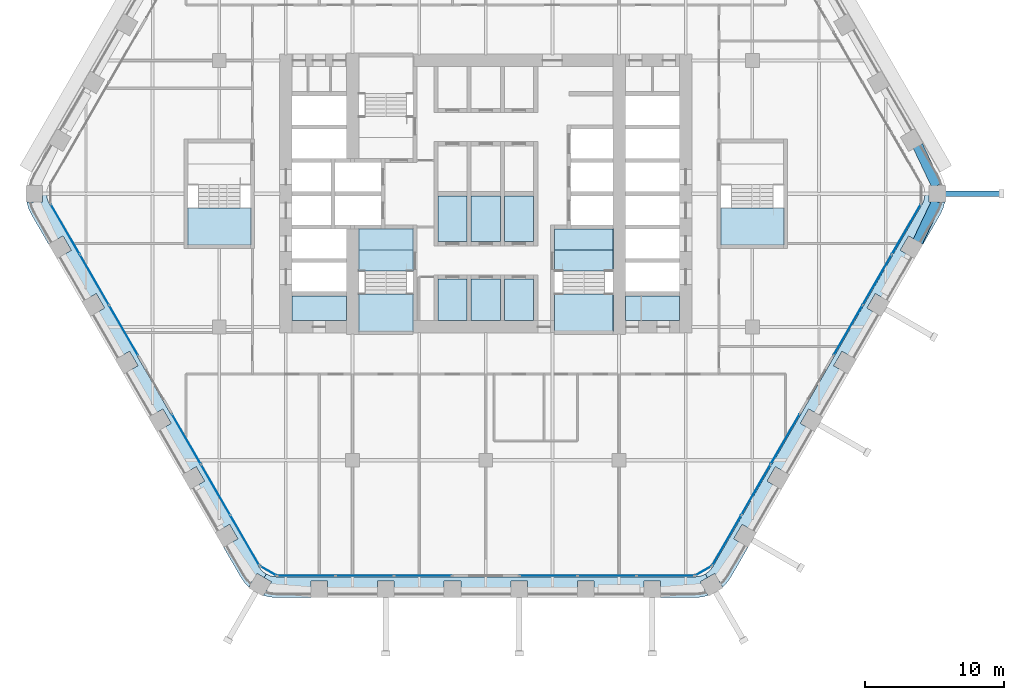
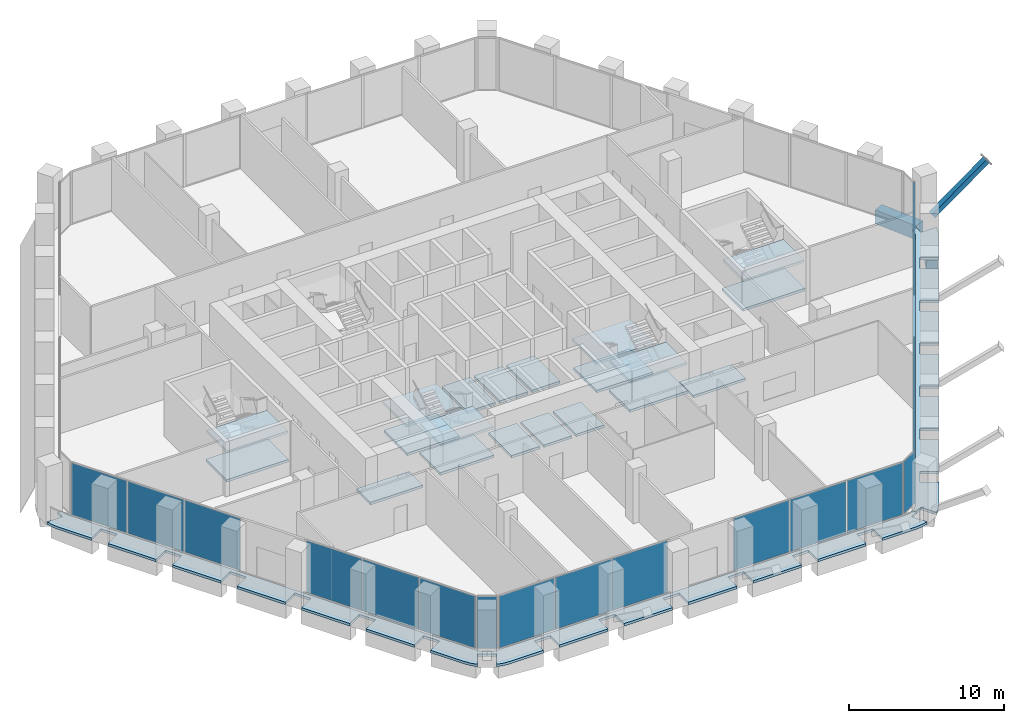
# One storey, part 11 of 24: 25 slabs, 20 plates, 2 beams, 1 member, 12 elements without a shape of their own.
"""IFC4 building model written with IfcOpenShell, lengths in metres."""

from ifc_helpers import new_model, si_unit, direction, frame, origin, origin_2d, place, context, subcontext, project, spatial, polyline, rectangle, hollow_rectangle, outline, extrude, material, layer, layer_set, material_profile, profile_set, type_object, element, aggregate, save


model = new_model("IFC4")

# Units and contexts
model_context = context("Model", 3, precision=1e-05, world=origin(), true_north=direction((0.0, 1.0)))
body_context = subcontext(model_context, "Body", "Model", "MODEL_VIEW")
ifc_project = project(units=[si_unit("LENGTHUNIT", "METRE"), si_unit("AREAUNIT", "SQUARE_METRE"), si_unit("VOLUMEUNIT", "CUBIC_METRE"), si_unit("PLANEANGLEUNIT", "RADIAN"), si_unit("MASSUNIT", "GRAM", prefix="KILO")], contexts=[model_context])

# Site, building, storey
site_placement = place(None, origin())
site = spatial("IfcSite", under=ifc_project, at=site_placement, CompositionType="ELEMENT")
building_placement = place(site_placement, origin())
building = spatial("IfcBuilding", under=site, at=building_placement, Name="Kolab Exchange Tower", CompositionType="ELEMENT")
storey_placement = place(building_placement, frame((0.0, 0.0, 86.89990234375)))
storey = spatial("IfcBuildingStorey", under=building, at=storey_placement, Name="L16", CompositionType="ELEMENT", Elevation=86.89990234375)

# Member
ifc_material_1 = material(Name="Steel S355", Category="steel")
ifc_material_profile_1 = material_profile(ifc_material_1, hollow_rectangle(XDim=0.39990234375, YDim=0.39990234375, WallThickness=0.02001953125, at=origin_2d()), Name="HSS400X400X20")
ifc_profile_set_1 = profile_set([ifc_material_profile_1], Name="Steel S355")
member_type = type_object("IfcMemberType", Name="LEDGE STRUT HSS400X400X20", PredefinedType="STRUT", material=ifc_profile_set_1)
member_placement = place(storey_placement, frame((33.095947265625, 0.0, 0.60009765625), z_axis=(0.810663726645, 0.0, 0.585512017214), x_axis=(0.0, 1.0, 0.0)))
element("IfcMember", 1, at=member_placement, inside=storey, type_object=member_type, Name="mem/L16/ledge/strut-0", PredefinedType="STRUT", context=body_context, shape_type="SweptSolid", body=[
    extrude(hollow_rectangle(XDim=0.39990234375, YDim=0.39990234375, WallThickness=0.02001953125, at=origin_2d()), origin(), (0.0, 0.0, 1.0), 4.983642578125),
])

# Beams
ifc_material_2 = material(Name="Concrete C70/85", Category="concrete")
ifc_material_profile_2 = material_profile(ifc_material_2, rectangle(XDim=0.75, YDim=1.10009765625, at=origin_2d()), Name="RC750X1100")
ifc_profile_set_2 = profile_set([ifc_material_profile_2], Name="Concrete C70/85")
beam_type = type_object("IfcBeamType", Name="SPANDREL BEAM 750X1100 C70/85", PredefinedType="BEAM", material=ifc_profile_set_2)
for number, where, z_axis, x_axis, name in (
    (2, (31.116455078125, 3.4619140625, -0.75), (0.429041292193, -0.903284877319, 0.0), (0.903284877319, 0.429041292193, 0.0), "beam/L16/sp/F2-07"),
    (3, (32.492919921875, -0.56396484375, -0.75), (-0.429041292193, -0.903284877319, 0.0), (0.903284877319, -0.429041292193, 0.0), "beam/L16/sp/F3-01"),
):
    element("IfcBeam", number, at=place(storey_placement, frame(where, z_axis=z_axis, x_axis=x_axis)), inside=storey, type_object=beam_type, Name=name, PredefinedType="BEAM", context=body_context, shape_type="SweptSolid", body=[
        extrude(rectangle(XDim=0.75, YDim=1.10009765625, at=origin_2d()), origin(), (0.0, 0.0, 1.0), 3.208251953125),
    ])

# Slabs
ifc_material_3 = material(Name="Concrete C35/45", Category="concrete")
ifc_layer_1 = layer(ifc_material_3, 0.199951171875)
ifc_layer_set_1 = layer_set([ifc_layer_1], Name="Concrete C35/45")
slab_type_1 = type_object("IfcSlabType", Name="FLOOR SLAB 200", PredefinedType="FLOOR", material=ifc_layer_set_1)
slab_1_placement = place(storey_placement, frame((0.0, 0.0, -0.199951171875)))
element("IfcSlab", 4, at=slab_1_placement, inside=storey, type_object=slab_type_1, Name="slab/L16/floor/2", PredefinedType="FLOOR", context=body_context, shape_type="SweptSolid", body=[
    extrude(outline(polyline([(-10.050048828125, -9.14990234375), (-10.050048828125, -7.35009765625), (-13.949951171875, -7.35009765625), (-13.949951171875, -9.14990234375), (-10.050048828125, -9.14990234375)])), origin(), (0.0, 0.0, 1.0), 0.199951171875),
])
slab_2_placement = place(storey_placement, frame((0.0, 0.0, -0.199951171875)))
element("IfcSlab", 5, at=slab_2_placement, inside=storey, type_object=slab_type_1, Name="slab/L16/floor/4", PredefinedType="FLOOR", context=body_context, shape_type="SweptSolid", body=[
    extrude(outline(polyline([(10.050048828125, -9.14990234375), (13.949951171875, -9.14990234375), (13.949951171875, -7.35009765625), (10.050048828125, -7.35009765625), (10.050048828125, -9.14990234375)])), origin(), (0.0, 0.0, 1.0), 0.199951171875),
])
slab_3_placement = place(storey_placement, frame((0.0, 0.0, -0.199951171875)))
element("IfcSlab", 6, at=slab_3_placement, inside=storey, type_object=slab_type_1, Name="slab/L16/floor/6", PredefinedType="FLOOR", context=body_context, shape_type="SweptSolid", body=[
    extrude(outline(polyline([(-1.35009765625, -3.449951171875), (-1.35009765625, -0.14990234375), (-3.449951171875, -0.14990234375), (-3.449951171875, -3.449951171875), (-1.35009765625, -3.449951171875)])), origin(), (0.0, 0.0, 1.0), 0.199951171875),
])
slab_4_placement = place(storey_placement, frame((0.0, 0.0, -0.199951171875)))
element("IfcSlab", 7, at=slab_4_placement, inside=storey, type_object=slab_type_1, Name="slab/L16/floor/8", PredefinedType="FLOOR", context=body_context, shape_type="SweptSolid", body=[
    extrude(outline(polyline([(-1.050048828125, -0.14990234375), (-1.050048828125, -3.449951171875), (1.050048828125, -3.449951171875), (1.050048828125, -0.14990234375), (-1.050048828125, -0.14990234375)])), origin(), (0.0, 0.0, 1.0), 0.199951171875),
])
slab_5_placement = place(storey_placement, frame((0.0, 0.0, -0.199951171875)))
element("IfcSlab", 8, at=slab_5_placement, inside=storey, type_object=slab_type_1, Name="slab/L16/floor/10", PredefinedType="FLOOR", context=body_context, shape_type="SweptSolid", body=[
    extrude(outline(polyline([(1.35009765625, -3.449951171875), (3.449951171875, -3.449951171875), (3.449951171875, -0.14990234375), (1.35009765625, -0.14990234375), (1.35009765625, -3.449951171875)])), origin(), (0.0, 0.0, 1.0), 0.199951171875),
])
slab_6_placement = place(storey_placement, frame((0.0, 0.0, -0.199951171875)))
element("IfcSlab", 9, at=slab_6_placement, inside=storey, type_object=slab_type_1, Name="slab/L16/floor/14", PredefinedType="FLOOR", context=body_context, shape_type="SweptSolid", body=[
    extrude(outline(polyline([(-1.35009765625, -6.14990234375), (-3.449951171875, -6.14990234375), (-3.449951171875, -9.14990234375), (-1.35009765625, -9.14990234375), (-1.35009765625, -6.14990234375)])), origin(), (0.0, 0.0, 1.0), 0.199951171875),
])
slab_7_placement = place(storey_placement, frame((0.0, 0.0, -0.199951171875)))
element("IfcSlab", 10, at=slab_7_placement, inside=storey, type_object=slab_type_1, Name="slab/L16/floor/16", PredefinedType="FLOOR", context=body_context, shape_type="SweptSolid", body=[
    extrude(outline(polyline([(1.050048828125, -6.14990234375), (-1.050048828125, -6.14990234375), (-1.050048828125, -9.14990234375), (1.050048828125, -9.14990234375), (1.050048828125, -6.14990234375)])), origin(), (0.0, 0.0, 1.0), 0.199951171875),
])
slab_8_placement = place(storey_placement, frame((0.0, 0.0, -0.199951171875)))
element("IfcSlab", 11, at=slab_8_placement, inside=storey, type_object=slab_type_1, Name="slab/L16/floor/18", PredefinedType="FLOOR", context=body_context, shape_type="SweptSolid", body=[
    extrude(outline(polyline([(1.35009765625, -6.14990234375), (1.35009765625, -9.14990234375), (3.449951171875, -9.14990234375), (3.449951171875, -6.14990234375), (1.35009765625, -6.14990234375)])), origin(), (0.0, 0.0, 1.0), 0.199951171875),
])
slab_9_placement = place(storey_placement, frame((0.0, 0.0, -0.199951171875)))
element("IfcSlab", 12, at=slab_9_placement, inside=storey, type_object=slab_type_1, Name="slab/L16/floor/20", PredefinedType="FLOOR", context=body_context, shape_type="SweptSolid", body=[
    extrude(outline(polyline([(4.949951171875, -4.050048828125), (9.14990234375, -4.050048828125), (9.14990234375, -2.550048828125), (6.14990234375, -2.550048828125), (5.85009765625, -2.550048828125), (4.949951171875, -2.550048828125), (4.949951171875, -4.050048828125)])), origin(), (0.0, 0.0, 1.0), 0.199951171875),
])
slab_10_placement = place(storey_placement, frame((0.0, 0.0, -0.199951171875)))
element("IfcSlab", 13, at=slab_10_placement, inside=storey, type_object=slab_type_1, Name="slab/L16/floor/21", PredefinedType="FLOOR", context=body_context, shape_type="SweptSolid", body=[
    extrude(outline(polyline([(-9.14990234375, -2.550048828125), (-9.14990234375, -4.050048828125), (-5.25, -4.050048828125), (-5.25, -2.550048828125), (-7.25, -2.550048828125), (-7.550048828125, -2.550048828125), (-9.14990234375, -2.550048828125)])), origin(), (0.0, 0.0, 1.0), 0.199951171875),
])
ifc_layer_2 = layer(ifc_material_3, 0.199951171875)
ifc_layer_set_2 = layer_set([ifc_layer_2], Name="Concrete C35/45")
slab_type_2 = type_object("IfcSlabType", Name="LOGGIA SLAB 200", PredefinedType="FLOOR", material=ifc_layer_set_2)
slab_11_placement = place(storey_placement, frame((0.0, 0.0, -0.199951171875)))
element("IfcSlab", 14, at=slab_11_placement, inside=storey, type_object=slab_type_2, Name="slab/L16/loggia/2-0", PredefinedType="FLOOR", context=body_context, shape_type="SweptSolid", body=[
    extrude(outline(polyline([(17.666015625, -27.598388671875), (18.89990234375, -25.461181640625), (17.86083984375, -24.861083984375), (18.460693359375, -23.822021484375), (19.5, -24.421875), (21.300048828125, -21.30419921875), (20.2607421875, -20.704345703125), (20.86083984375, -19.6650390625), (21.89990234375, -20.264892578125), (23.699951171875, -17.147216796875), (22.660888671875, -16.54736328125), (23.2607421875, -15.508056640625), (24.300048828125, -16.108154296875), (26.10009765625, -12.990478515625), (25.060791015625, -12.390380859375), (25.660888671875, -11.35107421875), (26.699951171875, -11.951171875), (28.5, -8.83349609375), (27.460693359375, -8.2333984375), (28.060791015625, -7.1943359375), (29.10009765625, -7.794189453125), (30.89990234375, -4.676513671875), (29.86083984375, -4.076416015625), (30.460693359375, -3.037353515625), (31.5, -3.63720703125), (32.73388671875, -1.5), (32.955078125, -1.026123046875), (33.069091796875, -0.60009765625), (31.935791015625, -0.60009765625), (31.935791015625, 0.0), (31.635986328125, 0.0), (31.613037109375, -0.260498046875), (31.54541015625, -0.512939453125), (31.434814453125, -0.75), (16.366943359375, -26.848388671875), (16.217041015625, -27.062744140625), (16.0322265625, -27.24755859375), (15.81787109375, -27.3974609375), (15.968017578125, -27.6572265625), (16.487548828125, -27.357177734375), (17.05419921875, -28.338623046875), (17.365966796875, -28.02685546875), (17.666015625, -27.598388671875)])), origin(), (0.0, 0.0, 1.0), 0.199951171875),
])
slab_12_placement = place(storey_placement, frame((0.0, 0.0, -0.199951171875)))
element("IfcSlab", 15, at=slab_12_placement, inside=storey, type_object=slab_type_2, Name="slab/L16/loggia/3-0", PredefinedType="FLOOR", context=body_context, shape_type="SweptSolid", body=[
    extrude(outline(polyline([(-15.81787109375, -27.3974609375), (-15.968017578125, -27.6572265625), (-15.4482421875, -27.957275390625), (-16.014892578125, -28.938720703125), (-15.5888671875, -29.052978515625), (-15.06787109375, -29.098388671875), (-12.60009765625, -29.098388671875), (-12.60009765625, -27.8984375), (-11.39990234375, -27.8984375), (-11.39990234375, -29.098388671875), (-7.800048828125, -29.098388671875), (-7.800048828125, -27.8984375), (-6.60009765625, -27.8984375), (-6.60009765625, -29.098388671875), (-3.0, -29.098388671875), (-3.0, -27.8984375), (-1.800048828125, -27.8984375), (-1.800048828125, -29.098388671875), (1.800048828125, -29.098388671875), (1.800048828125, -27.8984375), (3.0, -27.8984375), (3.0, -29.098388671875), (6.60009765625, -29.098388671875), (6.60009765625, -27.8984375), (7.800048828125, -27.8984375), (7.800048828125, -29.098388671875), (11.39990234375, -29.098388671875), (11.39990234375, -27.8984375), (12.60009765625, -27.8984375), (12.60009765625, -29.098388671875), (15.06787109375, -29.098388671875), (15.5888671875, -29.052978515625), (16.014892578125, -28.938720703125), (15.4482421875, -27.957275390625), (15.968017578125, -27.6572265625), (15.81787109375, -27.3974609375), (15.5810546875, -27.508056640625), (15.328369140625, -27.57568359375), (15.06787109375, -27.598388671875), (-15.06787109375, -27.598388671875), (-15.328369140625, -27.57568359375), (-15.5810546875, -27.508056640625), (-15.81787109375, -27.3974609375)])), origin(), (0.0, 0.0, 1.0), 0.199951171875),
])
slab_13_placement = place(storey_placement, frame((0.0, 0.0, -0.199951171875)))
element("IfcSlab", 16, at=slab_13_placement, inside=storey, type_object=slab_type_2, Name="slab/L16/loggia/4-0", PredefinedType="FLOOR", context=body_context, shape_type="SweptSolid", body=[
    extrude(outline(polyline([(-31.635986328125, 0.0), (-31.935791015625, 0.0), (-31.935791015625, -0.60009765625), (-33.069091796875, -0.60009765625), (-32.955078125, -1.026123046875), (-32.73388671875, -1.5), (-31.5, -3.63720703125), (-30.460693359375, -3.037353515625), (-29.86083984375, -4.076416015625), (-30.89990234375, -4.676513671875), (-29.10009765625, -7.794189453125), (-28.060791015625, -7.1943359375), (-27.460693359375, -8.2333984375), (-28.5, -8.83349609375), (-26.699951171875, -11.951171875), (-25.660888671875, -11.35107421875), (-25.060791015625, -12.390380859375), (-26.10009765625, -12.990478515625), (-24.300048828125, -16.108154296875), (-23.2607421875, -15.508056640625), (-22.660888671875, -16.54736328125), (-23.699951171875, -17.147216796875), (-21.89990234375, -20.264892578125), (-20.86083984375, -19.6650390625), (-20.2607421875, -20.704345703125), (-21.300048828125, -21.30419921875), (-19.5, -24.421875), (-18.460693359375, -23.822021484375), (-17.86083984375, -24.861083984375), (-18.89990234375, -25.461181640625), (-17.666015625, -27.598388671875), (-17.365966796875, -28.02685546875), (-17.05419921875, -28.338623046875), (-16.487548828125, -27.357177734375), (-15.968017578125, -27.6572265625), (-15.81787109375, -27.3974609375), (-16.0322265625, -27.24755859375), (-16.217041015625, -27.062744140625), (-16.366943359375, -26.848388671875), (-31.434814453125, -0.75), (-31.54541015625, -0.512939453125), (-31.613037109375, -0.260498046875), (-31.635986328125, 0.0)])), origin(), (0.0, 0.0, 1.0), 0.199951171875),
])

# Stair, slabs
ifc_material_4 = material(Name="Concrete C50/60", Category="concrete")
stair_type_1 = type_object("IfcStairType", Name="STAIR ST3 RISER 160.7", PredefinedType="DOUBLE_RETURN_STAIR", material=ifc_material_4)
stair_1_placement = place(storey_placement, origin())
stair_1 = element("IfcStair", 17, at=stair_1_placement, inside=storey, type_object=stair_type_1, Name="Stair 3", PredefinedType="DOUBLE_RETURN_STAIR")
ifc_layer_3 = layer(ifc_material_4, 0.199951171875)
ifc_layer_set_3 = layer_set([ifc_layer_3], Name="Concrete C50/60")
slab_type_3 = type_object("IfcSlabType", Name="STAIR LANDING 200", PredefinedType="LANDING", material=ifc_layer_set_3)
slab_14_placement = place(storey_placement, frame((0.0, 0.0, -0.199951171875)))
slab_14 = element("IfcSlab", 18, at=slab_14_placement, type_object=slab_type_3, Name="ST3 landing 1", PredefinedType="LANDING", context=body_context, shape_type="SweptSolid", body=[
    extrude(outline(polyline([(-9.14990234375, -5.550048828125), (-5.25, -5.550048828125), (-5.25, -4.050048828125), (-9.14990234375, -4.050048828125), (-9.14990234375, -5.550048828125)])), origin(), (0.0, 0.0, 1.0), 0.199951171875),
])
slab_15_placement = place(storey_placement, frame((0.0, 0.0, 0.925048828125)))
slab_15 = element("IfcSlab", 19, at=slab_15_placement, type_object=slab_type_3, Name="ST3 landing 2", PredefinedType="LANDING", context=body_context, shape_type="SweptSolid", body=[
    extrude(outline(polyline([(-9.2099609375, -9.909912109375), (-5.18994140625, -9.909912109375), (-5.18994140625, -7.22998046875), (-9.2099609375, -7.22998046875), (-9.2099609375, -9.909912109375)])), origin(), (0.0, 0.0, 1.0), 0.199951171875),
])
slab_16_placement = place(storey_placement, frame((0.0, 0.0, 2.050048828125)))
slab_16 = element("IfcSlab", 20, at=slab_16_placement, type_object=slab_type_3, Name="ST3 landing 3", PredefinedType="LANDING", context=body_context, shape_type="SweptSolid", body=[
    extrude(outline(polyline([(-9.2099609375, -5.550048828125), (-5.18994140625, -5.550048828125), (-5.18994140625, -2.489990234375), (-9.2099609375, -2.489990234375), (-9.2099609375, -5.550048828125)])), origin(), (0.0, 0.0, 1.0), 0.199951171875),
])
slab_17_placement = place(storey_placement, frame((0.0, 0.0, 3.175048828125)))
slab_17 = element("IfcSlab", 21, at=slab_17_placement, type_object=slab_type_3, Name="ST3 landing 4", PredefinedType="LANDING", context=body_context, shape_type="SweptSolid", body=[
    extrude(outline(polyline([(-9.14990234375, -9.909912109375), (-5.25, -9.909912109375), (-5.25, -7.22998046875), (-9.14990234375, -7.22998046875), (-9.14990234375, -9.909912109375)])), origin(), (0.0, 0.0, 1.0), 0.199951171875),
])
aggregate(stair_1, [slab_14, slab_15, slab_16, slab_17])

stair_type_2 = type_object("IfcStairType", Name="STAIR ST2 RISER 160.7", PredefinedType="DOUBLE_RETURN_STAIR", material=ifc_material_4)
stair_2_placement = place(storey_placement, origin())
stair_2 = element("IfcStair", 22, at=stair_2_placement, inside=storey, type_object=stair_type_2, Name="Stair 2", PredefinedType="DOUBLE_RETURN_STAIR")
slab_18_placement = place(storey_placement, frame((0.0, 0.0, -0.199951171875)))
slab_18 = element("IfcSlab", 23, at=slab_18_placement, type_object=slab_type_3, Name="ST2 landing 1", PredefinedType="LANDING", context=body_context, shape_type="SweptSolid", body=[
    extrude(outline(polyline([(4.949951171875, -5.550048828125), (9.14990234375, -5.550048828125), (9.14990234375, -4.050048828125), (4.949951171875, -4.050048828125), (4.949951171875, -5.550048828125)])), origin(), (0.0, 0.0, 1.0), 0.199951171875),
])
slab_19_placement = place(storey_placement, frame((0.0, 0.0, 0.925048828125)))
slab_19 = element("IfcSlab", 24, at=slab_19_placement, type_object=slab_type_3, Name="ST2 landing 2", PredefinedType="LANDING", context=body_context, shape_type="SweptSolid", body=[
    extrude(outline(polyline([(4.889892578125, -9.909912109375), (9.2099609375, -9.909912109375), (9.2099609375, -7.22998046875), (4.889892578125, -7.22998046875), (4.889892578125, -9.909912109375)])), origin(), (0.0, 0.0, 1.0), 0.199951171875),
])
slab_20_placement = place(storey_placement, frame((0.0, 0.0, 2.050048828125)))
slab_20 = element("IfcSlab", 25, at=slab_20_placement, type_object=slab_type_3, Name="ST2 landing 3", PredefinedType="LANDING", context=body_context, shape_type="SweptSolid", body=[
    extrude(outline(polyline([(4.889892578125, -5.550048828125), (9.2099609375, -5.550048828125), (9.2099609375, -2.489990234375), (4.889892578125, -2.489990234375), (4.889892578125, -5.550048828125)])), origin(), (0.0, 0.0, 1.0), 0.199951171875),
])
slab_21_placement = place(storey_placement, frame((0.0, 0.0, 3.175048828125)))
slab_21 = element("IfcSlab", 26, at=slab_21_placement, type_object=slab_type_3, Name="ST2 landing 4", PredefinedType="LANDING", context=body_context, shape_type="SweptSolid", body=[
    extrude(outline(polyline([(4.949951171875, -9.909912109375), (9.14990234375, -9.909912109375), (9.14990234375, -7.22998046875), (4.949951171875, -7.22998046875), (4.949951171875, -9.909912109375)])), origin(), (0.0, 0.0, 1.0), 0.199951171875),
])
aggregate(stair_2, [slab_18, slab_19, slab_20, slab_21])

stair_type_3 = type_object("IfcStairType", Name="STAIR ST4 RISER 160.7", PredefinedType="DOUBLE_RETURN_STAIR", material=ifc_material_4)
stair_3_placement = place(storey_placement, origin())
stair_3 = element("IfcStair", 27, at=stair_3_placement, inside=storey, type_object=stair_type_3, Name="Stair 4", PredefinedType="DOUBLE_RETURN_STAIR")
slab_22_placement = place(storey_placement, frame((0.0, 0.0, 0.925048828125)))
slab_22 = element("IfcSlab", 28, at=slab_22_placement, type_object=slab_type_3, Name="ST4 landing 2", PredefinedType="LANDING", context=body_context, shape_type="SweptSolid", body=[
    extrude(outline(polyline([(16.889892578125, -3.7099609375), (21.510009765625, -3.7099609375), (21.510009765625, -1.030029296875), (16.889892578125, -1.030029296875), (16.889892578125, -3.7099609375)])), origin(), (0.0, 0.0, 1.0), 0.199951171875),
])
slab_23_placement = place(storey_placement, frame((0.0, 0.0, 3.175048828125)))
slab_23 = element("IfcSlab", 29, at=slab_23_placement, type_object=slab_type_3, Name="ST4 landing 4", PredefinedType="LANDING", context=body_context, shape_type="SweptSolid", body=[
    extrude(outline(polyline([(16.949951171875, -3.7099609375), (21.449951171875, -3.7099609375), (21.449951171875, -1.030029296875), (16.949951171875, -1.030029296875), (16.949951171875, -3.7099609375)])), origin(), (0.0, 0.0, 1.0), 0.199951171875),
])
aggregate(stair_3, [slab_22, slab_23])

stair_type_4 = type_object("IfcStairType", Name="STAIR ST5 RISER 160.7", PredefinedType="DOUBLE_RETURN_STAIR", material=ifc_material_4)
stair_4_placement = place(storey_placement, origin())
stair_4 = element("IfcStair", 30, at=stair_4_placement, inside=storey, type_object=stair_type_4, Name="Stair 5", PredefinedType="DOUBLE_RETURN_STAIR")
slab_24_placement = place(storey_placement, frame((0.0, 0.0, 0.925048828125)))
slab_24 = element("IfcSlab", 31, at=slab_24_placement, type_object=slab_type_3, Name="ST5 landing 2", PredefinedType="LANDING", context=body_context, shape_type="SweptSolid", body=[
    extrude(outline(polyline([(-21.510009765625, -3.7099609375), (-16.889892578125, -3.7099609375), (-16.889892578125, -1.030029296875), (-21.510009765625, -1.030029296875), (-21.510009765625, -3.7099609375)])), origin(), (0.0, 0.0, 1.0), 0.199951171875),
])
slab_25_placement = place(storey_placement, frame((0.0, 0.0, 3.175048828125)))
slab_25 = element("IfcSlab", 32, at=slab_25_placement, type_object=slab_type_3, Name="ST5 landing 4", PredefinedType="LANDING", context=body_context, shape_type="SweptSolid", body=[
    extrude(outline(polyline([(-21.449951171875, -3.7099609375), (-16.949951171875, -3.7099609375), (-16.949951171875, -1.030029296875), (-21.449951171875, -1.030029296875), (-21.449951171875, -3.7099609375)])), origin(), (0.0, 0.0, 1.0), 0.199951171875),
])
aggregate(stair_4, [slab_24, slab_25])

# Curtain wall, plates
ifc_material_5 = material(Name="Aluminium EN AW-6063 T6", Category="aluminium")
curtain_wall_type = type_object("IfcCurtainWallType", Name="UNITISED LOWER MID ZONE CURTAIN WALL", PredefinedType="NOTDEFINED", material=ifc_material_5)
curtain_wall_1_placement = place(storey_placement, origin())
curtain_wall_1 = element("IfcCurtainWall", 33, at=curtain_wall_1_placement, inside=storey, type_object=curtain_wall_type, Name="cw/L16/F3-1", PredefinedType="NOTDEFINED")
ifc_material_6 = material(Name="Clear insulated glazing unit", Category="glass")
ifc_layer_4 = layer(ifc_material_6, 0.02587890625)
ifc_layer_set_4 = layer_set([ifc_layer_4], Name="Clear insulated glazing unit")
plate_type = type_object("IfcPlateType", Name="UNITISED LOWER MID ZONE GLASS PANEL 26", PredefinedType="CURTAIN_PANEL", material=ifc_layer_set_4)
plate_1_placement = place(storey_placement, frame((30.302490234375, -2.551513671875, 0.06005859375), z_axis=(0.0, 0.0, 1.0), x_axis=(-0.499999958358, -0.866025427826, 0.0)))
plate_1 = element("IfcPlate", 34, at=plate_1_placement, type_object=plate_type, Name="CW2 panel 1.1", PredefinedType="CURTAIN_PANEL", context=body_context, shape_type="SweptSolid", body=[
    extrude(rectangle(XDim=4.132568359375, YDim=0.02587890625, at=origin_2d()), origin(), (0.0, 0.0, 1.0), 4.080078125),
])
plate_2_placement = place(storey_placement, frame((28.19873046875, -6.1953125, 0.06005859375), z_axis=(0.0, 0.0, 1.0), x_axis=(-0.499999958358, -0.866025427826, 0.0)))
plate_2 = element("IfcPlate", 35, at=plate_2_placement, type_object=plate_type, Name="CW2 panel 2.1", PredefinedType="CURTAIN_PANEL", context=body_context, shape_type="SweptSolid", body=[
    extrude(rectangle(XDim=4.16259765625, YDim=0.02587890625, at=origin_2d()), origin(), (0.0, 0.0, 1.0), 4.080078125),
])
plate_3_placement = place(storey_placement, frame((26.0947265625, -9.83935546875, 0.06005859375), z_axis=(0.0, 0.0, 1.0), x_axis=(-0.499999958358, -0.866025427826, 0.0)))
plate_3 = element("IfcPlate", 36, at=plate_3_placement, type_object=plate_type, Name="CW2 panel 3.1", PredefinedType="CURTAIN_PANEL", context=body_context, shape_type="SweptSolid", body=[
    extrude(rectangle(XDim=4.132568359375, YDim=0.02587890625, at=origin_2d()), origin(), (0.0, 0.0, 1.0), 4.080078125),
])
aggregate(curtain_wall_1, [plate_1, plate_2, plate_3])

curtain_wall_2_placement = place(storey_placement, origin())
curtain_wall_2 = element("IfcCurtainWall", 37, at=curtain_wall_2_placement, inside=storey, type_object=curtain_wall_type, Name="cw/L16/F3-2", PredefinedType="NOTDEFINED")
plate_4_placement = place(storey_placement, frame((21.568603515625, -17.67919921875, 0.06005859375), z_axis=(0.0, 0.0, 1.0), x_axis=(-0.500000017564, -0.866025393644, 0.0)))
plate_4 = element("IfcPlate", 38, at=plate_4_placement, type_object=plate_type, Name="CW2 panel 1.1", PredefinedType="CURTAIN_PANEL", context=body_context, shape_type="SweptSolid", body=[
    extrude(rectangle(XDim=4.132568359375, YDim=0.02587890625, at=origin_2d()), origin(), (0.0, 0.0, 1.0), 4.080078125),
])
plate_5_placement = place(storey_placement, frame((19.464599609375, -21.322998046875, 0.06005859375), z_axis=(0.0, 0.0, 1.0), x_axis=(-0.500000017564, -0.866025393644, 0.0)))
plate_5 = element("IfcPlate", 39, at=plate_5_placement, type_object=plate_type, Name="CW2 panel 2.1", PredefinedType="CURTAIN_PANEL", context=body_context, shape_type="SweptSolid", body=[
    extrude(rectangle(XDim=4.16259765625, YDim=0.02587890625, at=origin_2d()), origin(), (0.0, 0.0, 1.0), 4.080078125),
])
plate_6_placement = place(storey_placement, frame((17.36083984375, -24.967041015625, 0.06005859375), z_axis=(0.0, 0.0, 1.0), x_axis=(-0.500000017564, -0.866025393644, 0.0)))
plate_6 = element("IfcPlate", 40, at=plate_6_placement, type_object=plate_type, Name="CW2 panel 3.1", PredefinedType="CURTAIN_PANEL", context=body_context, shape_type="SweptSolid", body=[
    extrude(rectangle(XDim=4.132568359375, YDim=0.02587890625, at=origin_2d()), origin(), (0.0, 0.0, 1.0), 4.080078125),
])
aggregate(curtain_wall_2, [plate_4, plate_5, plate_6])

curtain_wall_3_placement = place(storey_placement, origin())
curtain_wall_3 = element("IfcCurtainWall", 41, at=curtain_wall_3_placement, inside=storey, type_object=curtain_wall_type, Name="cw/L16/F4-1", PredefinedType="NOTDEFINED")
plate_7_placement = place(storey_placement, frame((12.941650390625, -27.5185546875, 0.06005859375), z_axis=(0.0, 0.0, 1.0), x_axis=(-1.0, 0.0, 0.0)))
plate_7 = element("IfcPlate", 42, at=plate_7_placement, type_object=plate_type, Name="CW2 panel 1.1", PredefinedType="CURTAIN_PANEL", context=body_context, shape_type="SweptSolid", body=[
    extrude(rectangle(XDim=4.132568359375, YDim=0.02587890625, at=origin_2d()), origin(), (0.0, 0.0, 1.0), 4.080078125),
])
plate_8_placement = place(storey_placement, frame((8.73388671875, -27.5185546875, 0.06005859375), z_axis=(0.0, 0.0, 1.0), x_axis=(-1.0, 0.0, 0.0)))
plate_8 = element("IfcPlate", 43, at=plate_8_placement, type_object=plate_type, Name="CW2 panel 2.1", PredefinedType="CURTAIN_PANEL", context=body_context, shape_type="SweptSolid", body=[
    extrude(rectangle(XDim=4.16259765625, YDim=0.02587890625, at=origin_2d()), origin(), (0.0, 0.0, 1.0), 4.080078125),
])
plate_9_placement = place(storey_placement, frame((4.5263671875, -27.5185546875, 0.06005859375), z_axis=(0.0, 0.0, 1.0), x_axis=(-1.0, 0.0, 0.0)))
plate_9 = element("IfcPlate", 44, at=plate_9_placement, type_object=plate_type, Name="CW2 panel 3.1", PredefinedType="CURTAIN_PANEL", context=body_context, shape_type="SweptSolid", body=[
    extrude(rectangle(XDim=4.132568359375, YDim=0.02587890625, at=origin_2d()), origin(), (0.0, 0.0, 1.0), 4.080078125),
])
aggregate(curtain_wall_3, [plate_7, plate_8, plate_9])

curtain_wall_4_placement = place(storey_placement, origin())
curtain_wall_4 = element("IfcCurtainWall", 45, at=curtain_wall_4_placement, inside=storey, type_object=curtain_wall_type, Name="cw/L16/F4-2", PredefinedType="NOTDEFINED")
plate_10_placement = place(storey_placement, frame((-4.5263671875, -27.5185546875, 0.06005859375), z_axis=(0.0, 0.0, 1.0), x_axis=(-1.0, 0.0, 0.0)))
plate_10 = element("IfcPlate", 46, at=plate_10_placement, type_object=plate_type, Name="CW2 panel 1.1", PredefinedType="CURTAIN_PANEL", context=body_context, shape_type="SweptSolid", body=[
    extrude(rectangle(XDim=4.132568359375, YDim=0.02587890625, at=origin_2d()), origin(), (0.0, 0.0, 1.0), 4.080078125),
])
plate_11_placement = place(storey_placement, frame((-8.73388671875, -27.5185546875, 0.06005859375), z_axis=(0.0, 0.0, 1.0), x_axis=(-1.0, 0.0, 0.0)))
plate_11 = element("IfcPlate", 47, at=plate_11_placement, type_object=plate_type, Name="CW2 panel 2.1", PredefinedType="CURTAIN_PANEL", context=body_context, shape_type="SweptSolid", body=[
    extrude(rectangle(XDim=4.16259765625, YDim=0.02587890625, at=origin_2d()), origin(), (0.0, 0.0, 1.0), 4.080078125),
])
plate_12_placement = place(storey_placement, frame((-12.941650390625, -27.5185546875, 0.06005859375), z_axis=(0.0, 0.0, 1.0), x_axis=(-1.0, 0.0, 0.0)))
plate_12 = element("IfcPlate", 48, at=plate_12_placement, type_object=plate_type, Name="CW2 panel 3.1", PredefinedType="CURTAIN_PANEL", context=body_context, shape_type="SweptSolid", body=[
    extrude(rectangle(XDim=4.132568359375, YDim=0.02587890625, at=origin_2d()), origin(), (0.0, 0.0, 1.0), 4.080078125),
])
aggregate(curtain_wall_4, [plate_10, plate_11, plate_12])

curtain_wall_5_placement = place(storey_placement, origin())
curtain_wall_5 = element("IfcCurtainWall", 49, at=curtain_wall_5_placement, inside=storey, type_object=curtain_wall_type, Name="cw/L16/F5-1", PredefinedType="NOTDEFINED")
plate_13_placement = place(storey_placement, frame((-17.36083984375, -24.967041015625, 0.06005859375), z_axis=(0.0, 0.0, 1.0), x_axis=(-0.500000017564, 0.866025393644, 0.0)))
plate_13 = element("IfcPlate", 50, at=plate_13_placement, type_object=plate_type, Name="CW2 panel 1.1", PredefinedType="CURTAIN_PANEL", context=body_context, shape_type="SweptSolid", body=[
    extrude(rectangle(XDim=4.132568359375, YDim=0.02587890625, at=origin_2d()), origin(), (0.0, 0.0, 1.0), 4.080078125),
])
plate_14_placement = place(storey_placement, frame((-19.464599609375, -21.322998046875, 0.06005859375), z_axis=(0.0, 0.0, 1.0), x_axis=(-0.500000017564, 0.866025393644, 0.0)))
plate_14 = element("IfcPlate", 51, at=plate_14_placement, type_object=plate_type, Name="CW2 panel 2.1", PredefinedType="CURTAIN_PANEL", context=body_context, shape_type="SweptSolid", body=[
    extrude(rectangle(XDim=4.16259765625, YDim=0.02587890625, at=origin_2d()), origin(), (0.0, 0.0, 1.0), 4.080078125),
])
plate_15_placement = place(storey_placement, frame((-21.568603515625, -17.67919921875, 0.06005859375), z_axis=(0.0, 0.0, 1.0), x_axis=(-0.500000017564, 0.866025393644, 0.0)))
plate_15 = element("IfcPlate", 52, at=plate_15_placement, type_object=plate_type, Name="CW2 panel 3.1", PredefinedType="CURTAIN_PANEL", context=body_context, shape_type="SweptSolid", body=[
    extrude(rectangle(XDim=4.132568359375, YDim=0.02587890625, at=origin_2d()), origin(), (0.0, 0.0, 1.0), 4.080078125),
])
aggregate(curtain_wall_5, [plate_13, plate_14, plate_15])

curtain_wall_6_placement = place(storey_placement, origin())
curtain_wall_6 = element("IfcCurtainWall", 53, at=curtain_wall_6_placement, inside=storey, type_object=curtain_wall_type, Name="cw/L16/F5-2", PredefinedType="NOTDEFINED")
plate_16_placement = place(storey_placement, frame((-26.0947265625, -9.83935546875, 0.06005859375), z_axis=(0.0, 0.0, 1.0), x_axis=(-0.499999958358, 0.866025427826, 0.0)))
plate_16 = element("IfcPlate", 54, at=plate_16_placement, type_object=plate_type, Name="CW2 panel 1.1", PredefinedType="CURTAIN_PANEL", context=body_context, shape_type="SweptSolid", body=[
    extrude(rectangle(XDim=4.132568359375, YDim=0.02587890625, at=origin_2d()), origin(), (0.0, 0.0, 1.0), 4.080078125),
])
plate_17_placement = place(storey_placement, frame((-28.19873046875, -6.1953125, 0.06005859375), z_axis=(0.0, 0.0, 1.0), x_axis=(-0.499999958358, 0.866025427826, 0.0)))
plate_17 = element("IfcPlate", 55, at=plate_17_placement, type_object=plate_type, Name="CW2 panel 2.1", PredefinedType="CURTAIN_PANEL", context=body_context, shape_type="SweptSolid", body=[
    extrude(rectangle(XDim=4.16259765625, YDim=0.02587890625, at=origin_2d()), origin(), (0.0, 0.0, 1.0), 4.080078125),
])
plate_18_placement = place(storey_placement, frame((-30.302490234375, -2.551513671875, 0.06005859375), z_axis=(0.0, 0.0, 1.0), x_axis=(-0.499999958358, 0.866025427826, 0.0)))
plate_18 = element("IfcPlate", 56, at=plate_18_placement, type_object=plate_type, Name="CW2 panel 3.1", PredefinedType="CURTAIN_PANEL", context=body_context, shape_type="SweptSolid", body=[
    extrude(rectangle(XDim=4.132568359375, YDim=0.02587890625, at=origin_2d()), origin(), (0.0, 0.0, 1.0), 4.080078125),
])
aggregate(curtain_wall_6, [plate_16, plate_17, plate_18])

# Curtain wall, plate
curtain_wall_7_placement = place(storey_placement, origin())
curtain_wall_7 = element("IfcCurtainWall", 57, at=curtain_wall_7_placement, inside=storey, type_object=curtain_wall_type, Name="cw/L16/F3F4-corner", PredefinedType="NOTDEFINED")
plate_19_placement = place(storey_placement, frame((15.682861328125, -27.16357421875, 0.06005859375), z_axis=(0.0, 0.0, 1.0), x_axis=(-0.866025390869, -0.50000002237, 0.0)))
plate_19 = element("IfcPlate", 58, at=plate_19_placement, type_object=plate_type, Name="CW2 panel 1.1", PredefinedType="CURTAIN_PANEL", context=body_context, shape_type="SweptSolid", body=[
    extrude(rectangle(XDim=1.300048828125, YDim=0.02587890625, at=origin_2d()), origin(), (0.0, 0.0, 1.0), 4.080078125),
])
aggregate(curtain_wall_7, [plate_19])

curtain_wall_8_placement = place(storey_placement, origin())
curtain_wall_8 = element("IfcCurtainWall", 59, at=curtain_wall_8_placement, inside=storey, type_object=curtain_wall_type, Name="cw/L16/F4F5-corner", PredefinedType="NOTDEFINED")
plate_20_placement = place(storey_placement, frame((-15.682861328125, -27.16357421875, 0.06005859375), z_axis=(0.0, 0.0, 1.0), x_axis=(-0.866025390869, 0.50000002237, 0.0)))
plate_20 = element("IfcPlate", 60, at=plate_20_placement, type_object=plate_type, Name="CW2 panel 1.1", PredefinedType="CURTAIN_PANEL", context=body_context, shape_type="SweptSolid", body=[
    extrude(rectangle(XDim=1.300048828125, YDim=0.02587890625, at=origin_2d()), origin(), (0.0, 0.0, 1.0), 4.080078125),
])
aggregate(curtain_wall_8, [plate_20])

save(model, "model.ifc")
